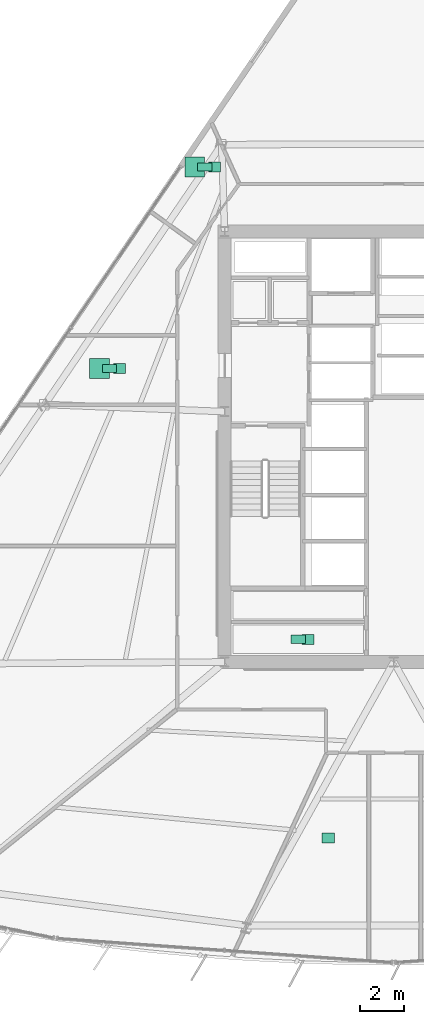
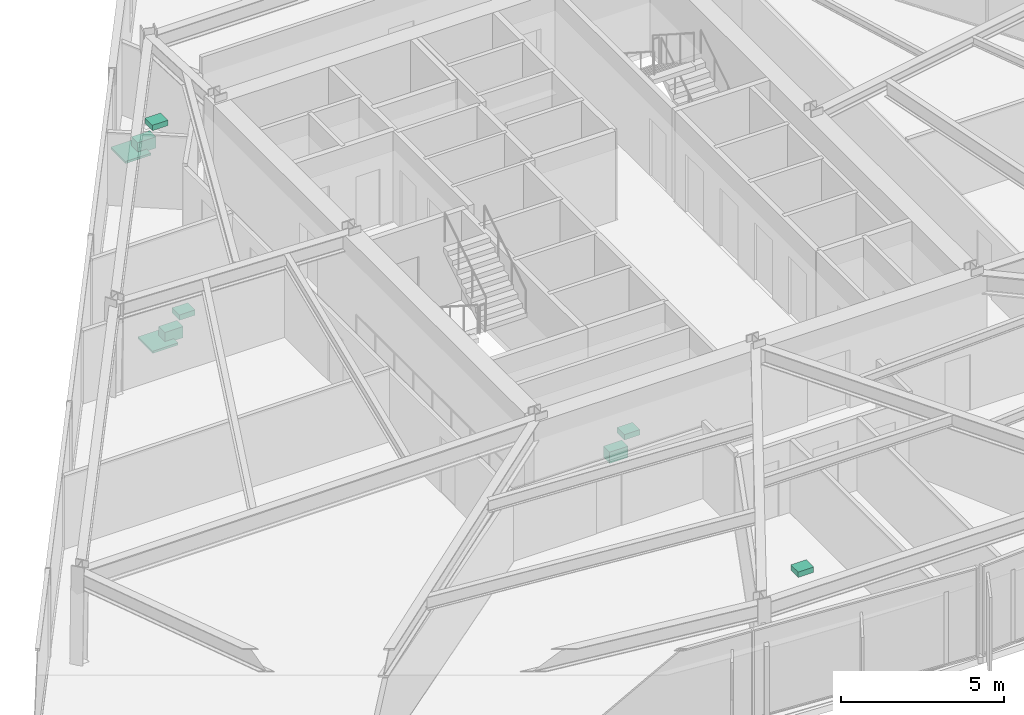
# One storey, part 18 of 18: 9 sanitary terminals.
"""IFC4 building model written with IfcOpenShell, lengths in metres."""

from ifc_helpers import new_model, si_unit, direction, frame, origin, origin_2d, place, context, subcontext, project, spatial, rectangle, extrude, material, type_object, element, save


model = new_model("IFC4")

# Units and contexts
model_context = context("Model", 3, precision=1e-05, world=origin(), true_north=direction((0.0, 1.0)))
body_context = subcontext(model_context, "Body", "Model", "MODEL_VIEW")
ifc_project = project(units=[si_unit("LENGTHUNIT", "METRE"), si_unit("AREAUNIT", "SQUARE_METRE"), si_unit("VOLUMEUNIT", "CUBIC_METRE"), si_unit("PLANEANGLEUNIT", "RADIAN"), si_unit("MASSUNIT", "GRAM", prefix="KILO")], contexts=[model_context])

# Site, building, storey
site_placement = place(None, origin())
site = spatial("IfcSite", under=ifc_project, at=site_placement, CompositionType="ELEMENT")
building_placement = place(site_placement, origin())
building = spatial("IfcBuilding", under=site, at=building_placement, Name="Savorim Split Tower", CompositionType="ELEMENT")
storey_placement = place(building_placement, frame((0.0, 0.0, 40.800048828125)))
storey = spatial("IfcBuildingStorey", under=building, at=storey_placement, Name="L10", CompositionType="ELEMENT", Elevation=40.800048828125)

# Sanitary terminals
ifc_material = material(Name="Vitreous China Sanitaryware")
sanitary_terminal_type_1 = type_object("IfcSanitaryTerminalType", Name="SAN-SHW-900", PredefinedType="SHOWER", material=ifc_material)
for number, where, z_axis, x_axis, name in (
    (1, (-9.0546875, 13.13525390625, 0.0), (0.0, 0.0, 1.0), (1.0, 0.0, 0.0), "L10 Shared Bathroom Shower"),
    (2, (-13.39208984375, 3.95947265625, 0.0), (0.0, 0.0, 1.0), (1.0, 0.0, 0.0), "L10 Shared Bathroom Shower"),
):
    element("IfcSanitaryTerminal", number, at=place(storey_placement, frame(where, z_axis=z_axis, x_axis=x_axis)), inside=storey, type_object=sanitary_terminal_type_1, Name=name, PredefinedType="SHOWER", context=body_context, shape_type="SweptSolid", body=[
        extrude(rectangle(XDim=0.89990234375, YDim=0.89990234375, at=origin_2d()), origin(), (0.0, 0.0, 1.0), 0.080078125),
    ])
sanitary_terminal_type_2 = type_object("IfcSanitaryTerminalType", Name="SAN-WC-PAN", PredefinedType="TOILETPAN", material=ifc_material)
for number, where, z_axis, x_axis, name in (
    (3, (-4.35009765625, -8.3701171875, 0.0), (0.0, 0.0, 1.0), (1.0, 0.0, 0.0), "L10 Public WC WC Pan"),
    (4, (-8.604736328125, 13.13525390625, 0.0), (0.0, 0.0, 1.0), (1.0, 0.0, 0.0), "L10 Shared Bathroom WC Pan"),
    (5, (-12.94189453125, 3.95947265625, 0.0), (0.0, 0.0, 1.0), (1.0, 0.0, 0.0), "L10 Shared Bathroom WC Pan"),
):
    element("IfcSanitaryTerminal", number, at=place(storey_placement, frame(where, z_axis=z_axis, x_axis=x_axis)), inside=storey, type_object=sanitary_terminal_type_2, Name=name, PredefinedType="TOILETPAN", context=body_context, shape_type="SweptSolid", body=[
        extrude(rectangle(XDim=0.64990234375, YDim=0.3798828125, at=origin_2d()), origin(), (0.0, 0.0, 1.0), 0.419921875),
    ])
sanitary_terminal_type_3 = type_object("IfcSanitaryTerminalType", Name="SAN-WHB-550", PredefinedType="WASHHANDBASIN", material=ifc_material)
for number, where, z_axis, x_axis, name in (
    (6, (-3.89990234375, -8.3701171875, 0.72021484375), (0.0, 0.0, 1.0), (1.0, 0.0, 0.0), "L10 Public WC Washhand Basin"),
    (7, (-2.981201171875, -17.408447265625, 0.75), (0.0, 0.0, 1.0), (1.0, 0.0, 0.0), "L10 Shared Kitchen Utility Sink"),
    (8, (-8.15478515625, 13.13525390625, 0.72021484375), (0.0, 0.0, 1.0), (1.0, 0.0, 0.0), "L10 Shared Bathroom Washhand Basin"),
    (9, (-12.491943359375, 3.95947265625, 0.72021484375), (0.0, 0.0, 1.0), (1.0, 0.0, 0.0), "L10 Shared Bathroom Washhand Basin"),
):
    element("IfcSanitaryTerminal", number, at=place(storey_placement, frame(where, z_axis=z_axis, x_axis=x_axis)), inside=storey, type_object=sanitary_terminal_type_3, Name=name, PredefinedType="WASHHANDBASIN", context=body_context, shape_type="SweptSolid", body=[
        extrude(rectangle(XDim=0.550048828125, YDim=0.449951171875, at=origin_2d()), origin(), (0.0, 0.0, 1.0), 0.199951171875),
    ])

save(model, "model.ifc")
